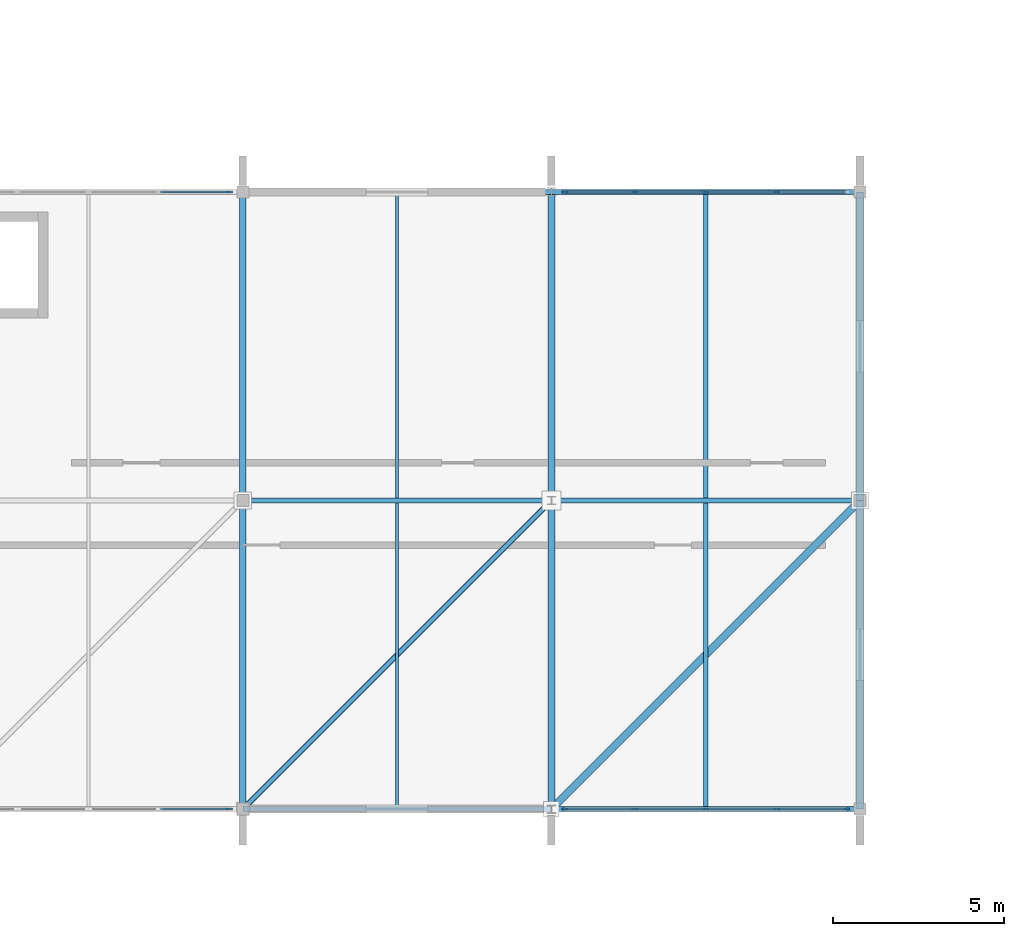
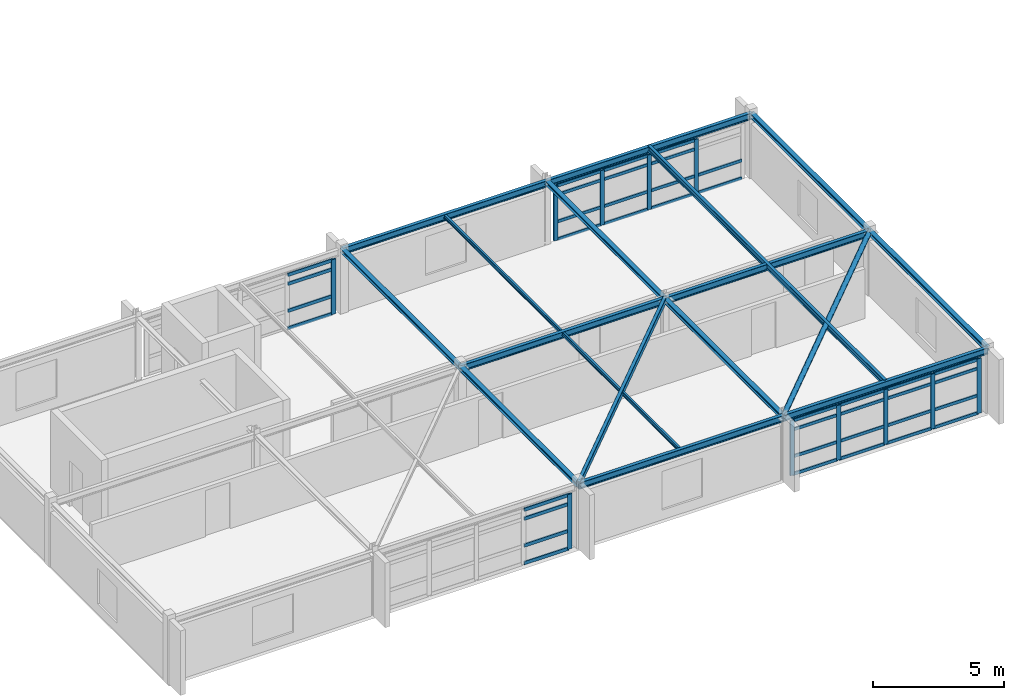
# One storey, part 35 of 83: 51 members, 14 beams, 4 elements without a shape of their own.
"""IFC4 building model written with IfcOpenShell, lengths in metres."""

import ifcopenshell
import ifcopenshell.guid

model = None  # the IFC model being written
_history = None  # IfcOwnerHistory: only IFC2X3 demands one
_inside = {}  # id of a spatial element -> (the spatial element, [elements in it])
_under = {}  # id of a project, library or spatial element -> (it, [spatial elements below it])
_declared = {}  # id of a project -> (the project, [libraries it declares])
_typed = {}  # id of a type object -> (the type object, [elements of that type])
_made_of = {}  # id of a material, layer set ... -> (it, [elements and type objects made of it])


def new_model(schema):
    """Start an empty IFC model of exactly this schema.

    Asked for "IFC4X3", IfcOpenShell would pick the latest addendum, in which some entities
    have other attributes; the version numbers below select the first issue.
    IFC2X3 requires an IfcOwnerHistory on every rooted entity: one is made here for all.
    """
    global model, _history
    if schema == "IFC4X3":
        model = ifcopenshell.file(schema_version=(4, 3, 0, 0))
    else:
        model = ifcopenshell.file(schema=schema)
    _inside.clear()
    _under.clear()
    _declared.clear()
    _typed.clear()
    _made_of.clear()
    _history = None
    if model.schema == "IFC2X3":
        org = make("IfcOrganization", Name="unknown")
        user = make(
            "IfcPersonAndOrganization",
            ThePerson=make("IfcPerson", FamilyName="unknown"),
            TheOrganization=org,
        )
        app = make(
            "IfcApplication",
            ApplicationDeveloper=org,
            Version="unknown",
            ApplicationFullName="unknown",
            ApplicationIdentifier="unknown",
        )
        _history = make(
            "IfcOwnerHistory",
            OwningUser=user,
            OwningApplication=app,
            ChangeAction="ADDED",
            CreationDate=0,
        )
    return model


def make(cls, **values):
    """One entity of the class cls with the attributes given. An attribute that is None is left unset."""
    return model.create_entity(
        cls, **{name: value for name, value in values.items() if value is not None}
    )


def rooted(cls, **values):
    """An entity with a GlobalId (a new one), such as an element, a storey or a relation."""
    return make(cls, GlobalId=ifcopenshell.guid.new(), OwnerHistory=_history, **values)


def si_unit(unit_type, name, prefix=None):
    """IfcSIUnit, for example si_unit("LENGTHUNIT", "METRE", prefix="MILLI")."""
    return make("IfcSIUnit", UnitType=unit_type, Prefix=prefix, Name=name)


def assignment(units):
    """IfcUnitAssignment: the units of a project."""
    return None if units is None else make("IfcUnitAssignment", Units=units)


def point(xyz):
    """IfcCartesianPoint."""
    return None if xyz is None else make("IfcCartesianPoint", Coordinates=xyz)


def direction(xyz):
    """IfcDirection."""
    return None if xyz is None else make("IfcDirection", DirectionRatios=xyz)


def frame(location, z_axis=None, x_axis=None):
    """IfcAxis2Placement3D, a coordinate frame: its origin and axes. An axis left out is left unset."""
    return make(
        "IfcAxis2Placement3D",
        Location=point(location),
        Axis=direction(z_axis),
        RefDirection=direction(x_axis),
    )


def frame_2d(location, x_axis=None):
    """IfcAxis2Placement2D, a coordinate frame in the plane: its origin and x axis."""
    return make(
        "IfcAxis2Placement2D", Location=point(location), RefDirection=direction(x_axis)
    )


def origin():
    """The frame at (0, 0, 0) with its axes left unset."""
    return frame((0.0, 0.0, 0.0))


def origin_2d():
    """The frame at (0, 0) in the plane with its x axis left unset."""
    return frame_2d((0.0, 0.0))


def place(relative_to, where):
    """IfcLocalPlacement: puts the frame where relative to a parent placement (None: the world)."""
    return make(
        "IfcLocalPlacement", PlacementRelTo=relative_to, RelativePlacement=where
    )


def context(
    kind, dimensions, precision=None, world=None, true_north=None, identifier=None
):
    """IfcGeometricRepresentationContext, for example the 3D "Model" context."""
    return make(
        "IfcGeometricRepresentationContext",
        ContextIdentifier=identifier,
        ContextType=kind,
        CoordinateSpaceDimension=dimensions,
        Precision=precision,
        WorldCoordinateSystem=world,
        TrueNorth=true_north,
    )


def subcontext(parent, identifier, kind, view, scale=None):
    """IfcGeometricRepresentationSubContext, for example "Body" below "Model"."""
    return make(
        "IfcGeometricRepresentationSubContext",
        ContextIdentifier=identifier,
        ContextType=kind,
        ParentContext=parent,
        TargetScale=scale,
        TargetView=view,
    )


def project(units=None, contexts=None):
    """IfcProject with its units and contexts."""
    return rooted(
        "IfcProject",
        Name="project",
        RepresentationContexts=contexts,
        UnitsInContext=assignment(units),
    )


def spatial(cls, under=None, at=None, **own):
    """A site, building, storey or space (cls), placed at a placement, below another one or the project."""
    s = rooted(cls, ObjectPlacement=at, **own)
    if under is not None:
        _under.setdefault(under.id(), (under, []))[1].append(s)
    return s


def profile(cls, at=None, kind="AREA", **sizes):
    """A parametric profile (cls). Its sizes go by their IFC names, for example OverallWidth=200.0."""
    return make(cls, ProfileType=kind, Position=at, **sizes)


def rectangle(**sizes):
    """IfcRectangleProfileDef."""
    return profile("IfcRectangleProfileDef", **sizes)


def hollow_rectangle(**sizes):
    """IfcRectangleHollowProfileDef."""
    return profile("IfcRectangleHollowProfileDef", **sizes)


def hollow_circle(**sizes):
    """IfcCircleHollowProfileDef."""
    return profile("IfcCircleHollowProfileDef", **sizes)


def i_section(**sizes):
    """IfcIShapeProfileDef."""
    return profile("IfcIShapeProfileDef", **sizes)


def extrude(swept, where, along, depth):
    """IfcExtrudedAreaSolid: the profile swept, set in the frame where, extruded along a direction by depth."""
    return make(
        "IfcExtrudedAreaSolid",
        SweptArea=swept,
        Position=where,
        ExtrudedDirection=direction(along),
        Depth=depth,
    )


def shape(context_of_items, identifier, shape_type, items):
    """IfcShapeRepresentation: the items that make up one representation, for example the "Body"."""
    return make(
        "IfcShapeRepresentation",
        ContextOfItems=context_of_items,
        RepresentationIdentifier=identifier,
        RepresentationType=shape_type,
        Items=items,
    )


def material(Name=None, Category=None):
    """IfcMaterial."""
    return make("IfcMaterial", Name=Name, Category=Category)


def material_profile(
    of_material, cross_section, Name=None, Category=None, Priority=None
):
    """IfcMaterialProfile: a cross section and its material."""
    return make(
        "IfcMaterialProfile",
        Name=Name,
        Material=of_material,
        Profile=cross_section,
        Priority=Priority,
        Category=Category,
    )


def profile_set(profiles, Name=None, composite=None):
    """IfcMaterialProfileSet."""
    return make(
        "IfcMaterialProfileSet",
        Name=Name,
        MaterialProfiles=profiles,
        CompositeProfile=composite,
    )


def made_of(thing, what):
    """Note that an element or type object is made of a material, layer set ...; save() writes the relation."""
    if what is not None:
        _made_of.setdefault(what.id(), (what, []))[1].append(thing)
    return thing


def type_object(cls, material=None, **own):
    """A type object (cls), such as IfcWallType, which elements share."""
    return made_of(rooted(cls, **own), material)


def element(
    cls,
    number,
    at=None,
    inside=None,
    cuts=None,
    type_object=None,
    material=None,
    context=None,
    identifier="Body",
    shape_type=None,
    held_by="IfcProductDefinitionShape",
    body=None,
    shapes=None,
    **own,
):
    """One element of the class cls, such as IfcWall. Its Tag is "e" and its number.

    at: its placement. inside: the storey or other place that contains it. cuts: it is an
    opening in that element (IfcRelVoidsElement). A single representation is given by context,
    identifier, shape_type and body (its items); several are given by shapes. held_by: the class
    of the entity that holds the representations. save() writes the other relations.
    """
    e = rooted(cls, Tag="e%d" % number, ObjectPlacement=at, **own)
    if body is not None:
        shapes = [shape(context, identifier, shape_type, body)]
    if shapes is not None:
        e.Representation = make(held_by, Representations=shapes)
    if inside is not None:
        _inside.setdefault(inside.id(), (inside, []))[1].append(e)
    if cuts is not None:
        rooted(
            "IfcRelVoidsElement", RelatingBuildingElement=cuts, RelatedOpeningElement=e
        )
    if type_object is not None:
        _typed.setdefault(type_object.id(), (type_object, []))[1].append(e)
    return made_of(e, material)


def aggregate(whole, parts):
    """IfcRelAggregates: a whole, such as a stair, and the parts it consists of."""
    return rooted("IfcRelAggregates", RelatingObject=whole, RelatedObjects=parts)


def save(model, path):
    """Write the relations noted so far, then the file.

    IfcRelAggregates (storeys below a building ...), IfcRelContainedInSpatialStructure (elements
    in a storey), IfcRelDefinesByType, IfcRelAssociatesMaterial and IfcRelDeclares: one each for
    every whole, place, type object, material and project.
    """
    for whole, parts in _under.values():
        aggregate(whole, parts)
    for where, things in _inside.values():
        rooted(
            "IfcRelContainedInSpatialStructure",
            RelatedElements=things,
            RelatingStructure=where,
        )
    for kind, things in _typed.values():
        rooted("IfcRelDefinesByType", RelatedObjects=things, RelatingType=kind)
    for what, things in _made_of.values():
        rooted("IfcRelAssociatesMaterial", RelatedObjects=things, RelatingMaterial=what)
    for by, libraries in _declared.values():
        rooted("IfcRelDeclares", RelatingContext=by, RelatedDefinitions=libraries)
    model.write(path)


model = new_model("IFC4")

# Units and contexts
model_context = context("Model", 3, precision=1e-05, world=origin(), true_north=direction((0.0, 1.0)))
body_context = subcontext(model_context, "Body", "Model", "MODEL_VIEW")
ifc_project = project(units=[si_unit("LENGTHUNIT", "METRE"), si_unit("AREAUNIT", "SQUARE_METRE"), si_unit("VOLUMEUNIT", "CUBIC_METRE"), si_unit("PLANEANGLEUNIT", "RADIAN"), si_unit("MASSUNIT", "GRAM", prefix="KILO")], contexts=[model_context])

# Site, building, storey
site_placement = place(None, origin())
site = spatial("IfcSite", under=ifc_project, at=site_placement, CompositionType="ELEMENT")
building_placement = place(site_placement, origin())
building = spatial("IfcBuilding", under=site, at=building_placement, Name="Zimvara Arc Housing Community", CompositionType="ELEMENT")
storey_placement = place(building_placement, frame((0.0, 0.0, 4.5)))
storey = spatial("IfcBuildingStorey", under=building, at=storey_placement, Name="L01", CompositionType="ELEMENT", Elevation=4.5)

# Beams
ifc_material_1 = material(Name="Steel S355", Category="steel")
ifc_material_profile_1 = material_profile(ifc_material_1, i_section(OverallWidth=0.199951171875, OverallDepth=0.18994140625, WebThickness=0.006591796875, FlangeThickness=0.010009765625, FilletRadius=0.01806640625, at=origin_2d()), Name="HEA 200")
ifc_profile_set_1 = profile_set([ifc_material_profile_1], Name="Steel S355")
beam_type_1 = type_object("IfcBeamType", Name="BM-ST-HEA200", PredefinedType="BEAM", material=ifc_profile_set_1)
for number, where, z_axis, x_axis, name in (
    (1, (130.0, 3.60009765625, 2.85498046875), (0.0, 1.0, 0.0), (-1.0, 0.0, 0.0), "bm:nursery:L01:y:x2:b0"),
    (2, (130.0, 12.60009765625, 2.85498046875), (0.0, 1.0, 0.0), (-1.0, 0.0, 0.0), "bm:nursery:L01:y:x2:b1"),
    (3, (139.0, 3.60009765625, 2.85498046875), (0.0, 1.0, 0.0), (-1.0, 0.0, 0.0), "bm:nursery:L01:y:x3:b0"),
    (4, (139.0, 12.60009765625, 2.85498046875), (0.0, 1.0, 0.0), (-1.0, 0.0, 0.0), "bm:nursery:L01:y:x3:b1"),
    (5, (148.0, 3.60009765625, 2.85498046875), (0.0, 1.0, 0.0), (-1.0, 0.0, 0.0), "bm:nursery:L01:y:x4:b0"),
    (6, (148.0, 12.60009765625, 2.85498046875), (0.0, 1.0, 0.0), (-1.0, 0.0, 0.0), "bm:nursery:L01:y:x4:b1"),
):
    element("IfcBeam", number, at=place(storey_placement, frame(where, z_axis=z_axis, x_axis=x_axis)), inside=storey, type_object=beam_type_1, Name=name, PredefinedType="BEAM", context=body_context, shape_type="SweptSolid", body=[
        extrude(i_section(OverallWidth=0.199951171875, OverallDepth=0.18994140625, WebThickness=0.006591796875, FlangeThickness=0.010009765625, FilletRadius=0.01806640625, at=origin_2d()), origin(), (0.0, 0.0, 1.0), 9.0),
    ])
ifc_material_2 = material(Name="Steel S355", Category="steel")
ifc_material_profile_2 = material_profile(ifc_material_2, i_section(OverallWidth=0.091064453125, OverallDepth=0.179931640625, WebThickness=0.00537109375, FlangeThickness=0.008056640625, FilletRadius=0.009033203125, at=origin_2d()), Name="IPE 180")
ifc_profile_set_2 = profile_set([ifc_material_profile_2], Name="Steel S355")
beam_type_2 = type_object("IfcBeamType", Name="BM-ST-IPE180", PredefinedType="JOIST", material=ifc_profile_set_2)
beam_1_placement = place(storey_placement, frame((134.5, 3.60009765625, 2.85009765625), z_axis=(0.0, 1.0, 0.0), x_axis=(-1.0, 0.0, 0.0)))
element("IfcBeam", 7, at=beam_1_placement, inside=storey, type_object=beam_type_2, Name="bm:nursery:L01:joist:b2", PredefinedType="JOIST", context=body_context, shape_type="SweptSolid", body=[
    extrude(i_section(OverallWidth=0.091064453125, OverallDepth=0.179931640625, WebThickness=0.00537109375, FlangeThickness=0.008056640625, FilletRadius=0.009033203125, at=origin_2d()), origin(), (0.0, 0.0, 1.0), 18.0),
])
ifc_material_3 = material(Name="Steel S355", Category="steel")
ifc_material_profile_3 = material_profile(ifc_material_3, i_section(OverallWidth=0.135009765625, OverallDepth=0.27001953125, WebThickness=0.006591796875, FlangeThickness=0.01025390625, FilletRadius=0.014892578125, at=origin_2d()), Name="IPE 270")
ifc_profile_set_3 = profile_set([ifc_material_profile_3], Name="Steel S355")
beam_type_3 = type_object("IfcBeamType", Name="BM-ST-IPE270", PredefinedType="JOIST", material=ifc_profile_set_3)
beam_2_placement = place(storey_placement, frame((143.5, 3.60009765625, 2.85009765625), z_axis=(0.0, 1.0, 0.0), x_axis=(-1.0, 0.0, 0.0)))
element("IfcBeam", 8, at=beam_2_placement, inside=storey, type_object=beam_type_3, Name="bm:nursery:L01:joist:b3", PredefinedType="JOIST", context=body_context, shape_type="SweptSolid", body=[
    extrude(i_section(OverallWidth=0.135009765625, OverallDepth=0.27001953125, WebThickness=0.006591796875, FlangeThickness=0.01025390625, FilletRadius=0.014892578125, at=origin_2d()), origin(), (0.0, 0.0, 1.0), 18.0),
])
ifc_material_4 = material(Name="Steel S355", Category="steel")
ifc_material_profile_4 = material_profile(ifc_material_4, i_section(OverallWidth=0.14990234375, OverallDepth=0.300048828125, WebThickness=0.007080078125, FlangeThickness=0.0107421875, FilletRadius=0.014892578125, at=origin_2d()), Name="IPE 300")
ifc_profile_set_4 = profile_set([ifc_material_profile_4], Name="Steel S355")
beam_type_4 = type_object("IfcBeamType", Name="BM-ST-IPE300", PredefinedType="BEAM", material=ifc_profile_set_4)
for number, where, z_axis, x_axis, name in (
    (9, (130.0, 3.60009765625, 2.800048828125), (1.0, 0.0, 0.0), (0.0, 1.0, 0.0), "bm:nursery:L01:x:y0:b2"),
    (10, (139.0, 3.60009765625, 2.800048828125), (1.0, 0.0, 0.0), (0.0, 1.0, 0.0), "bm:nursery:L01:x:y0:b3"),
    (11, (130.0, 12.60009765625, 2.800048828125), (1.0, 0.0, 0.0), (0.0, 1.0, 0.0), "bm:nursery:L01:x:y1:b2"),
    (12, (139.0, 12.60009765625, 2.800048828125), (1.0, 0.0, 0.0), (0.0, 1.0, 0.0), "bm:nursery:L01:x:y1:b3"),
    (13, (130.0, 21.60009765625, 2.800048828125), (1.0, 0.0, 0.0), (0.0, 1.0, 0.0), "bm:nursery:L01:x:y2:b2"),
    (14, (139.0, 21.60009765625, 2.800048828125), (1.0, 0.0, 0.0), (0.0, 1.0, 0.0), "bm:nursery:L01:x:y2:b3"),
):
    element("IfcBeam", number, at=place(storey_placement, frame(where, z_axis=z_axis, x_axis=x_axis)), inside=storey, type_object=beam_type_4, Name=name, PredefinedType="BEAM", context=body_context, shape_type="SweptSolid", body=[
        extrude(i_section(OverallWidth=0.14990234375, OverallDepth=0.300048828125, WebThickness=0.007080078125, FlangeThickness=0.0107421875, FilletRadius=0.014892578125, at=origin_2d()), origin(), (0.0, 0.0, 1.0), 9.0),
    ])

# Curtain wall, members
ifc_material_5 = material(Name="Anodised Aluminium AW-6063", Category="aluminium")
curtain_wall_type_1 = type_object("IfcCurtainWallType", Name="CW-SYS-02", PredefinedType="USERDEFINED", material=ifc_material_5)
curtain_wall_1_placement = place(storey_placement, origin())
curtain_wall_1 = element("IfcCurtainWall", 15, at=curtain_wall_1_placement, inside=storey, type_object=curtain_wall_type_1, Name="cw:nursery:L01:south:b3", ObjectType="CURTAIN WALL", PredefinedType="USERDEFINED")
ifc_material_6 = material(Name="Anodised Aluminium AW-6063", Category="aluminium")
ifc_material_profile_5 = material_profile(ifc_material_6, rectangle(XDim=0.06494140625, YDim=0.179931640625, at=origin_2d()), Name="ALU 65x180")
ifc_profile_set_5 = profile_set([ifc_material_profile_5], Name="Anodised Aluminium AW-6063")
member_type_1 = type_object("IfcMemberType", Name="CWM-65x150", PredefinedType="MULLION", material=ifc_profile_set_5)
member_1_placement = place(storey_placement, frame((139.392578125, 3.60009765625, 0.0), z_axis=(0.0, 0.0, 1.0), x_axis=(0.0, 1.0, 0.0)))
member_1 = element("IfcMember", 16, at=member_1_placement, type_object=member_type_1, Name="CW02 mullion 1", PredefinedType="MULLION", context=body_context, shape_type="SweptSolid", body=[
    extrude(rectangle(XDim=0.06494140625, YDim=0.179931640625, at=origin_2d()), origin(), (0.0, 0.0, 1.0), 2.550048828125),
])
member_2_placement = place(storey_placement, frame((141.429931640625, 3.60009765625, 0.0), z_axis=(0.0, 0.0, 1.0), x_axis=(0.0, 1.0, 0.0)))
member_2 = element("IfcMember", 17, at=member_2_placement, type_object=member_type_1, Name="CW02 mullion 2", PredefinedType="MULLION", context=body_context, shape_type="SweptSolid", body=[
    extrude(rectangle(XDim=0.06494140625, YDim=0.179931640625, at=origin_2d()), origin(), (0.0, 0.0, 1.0), 2.550048828125),
])
member_3_placement = place(storey_placement, frame((143.5, 3.60009765625, 0.0), z_axis=(0.0, 0.0, 1.0), x_axis=(0.0, 1.0, 0.0)))
member_3 = element("IfcMember", 18, at=member_3_placement, type_object=member_type_1, Name="CW02 mullion 3", PredefinedType="MULLION", context=body_context, shape_type="SweptSolid", body=[
    extrude(rectangle(XDim=0.06494140625, YDim=0.179931640625, at=origin_2d()), origin(), (0.0, 0.0, 1.0), 2.550048828125),
])
member_4_placement = place(storey_placement, frame((145.570068359375, 3.60009765625, 0.0), z_axis=(0.0, 0.0, 1.0), x_axis=(0.0, 1.0, 0.0)))
member_4 = element("IfcMember", 19, at=member_4_placement, type_object=member_type_1, Name="CW02 mullion 4", PredefinedType="MULLION", context=body_context, shape_type="SweptSolid", body=[
    extrude(rectangle(XDim=0.06494140625, YDim=0.179931640625, at=origin_2d()), origin(), (0.0, 0.0, 1.0), 2.550048828125),
])
member_5_placement = place(storey_placement, frame((147.607421875, 3.60009765625, 0.0), z_axis=(0.0, 0.0, 1.0), x_axis=(0.0, 1.0, 0.0)))
member_5 = element("IfcMember", 20, at=member_5_placement, type_object=member_type_1, Name="CW02 mullion 5", PredefinedType="MULLION", context=body_context, shape_type="SweptSolid", body=[
    extrude(rectangle(XDim=0.06494140625, YDim=0.179931640625, at=origin_2d()), origin(), (0.0, 0.0, 1.0), 2.550048828125),
])

ifc_material_7 = material(Name="Anodised Aluminium AW-6063", Category="aluminium")
curtain_wall_type_2 = type_object("IfcCurtainWallType", Name="CW-SYS-04", PredefinedType="USERDEFINED", material=ifc_material_7)
curtain_wall_2_placement = place(storey_placement, origin())
curtain_wall_2 = element("IfcCurtainWall", 21, at=curtain_wall_2_placement, inside=storey, type_object=curtain_wall_type_2, Name="cw:nursery:L01:north:b3", ObjectType="CURTAIN WALL", PredefinedType="USERDEFINED")
member_6_placement = place(storey_placement, frame((139.392578125, 21.60009765625, 0.0), z_axis=(0.0, 0.0, 1.0), x_axis=(0.0, 1.0, 0.0)))
member_6 = element("IfcMember", 22, at=member_6_placement, type_object=member_type_1, Name="CW04 mullion 1", PredefinedType="MULLION", context=body_context, shape_type="SweptSolid", body=[
    extrude(rectangle(XDim=0.06494140625, YDim=0.179931640625, at=origin_2d()), origin(), (0.0, 0.0, 1.0), 2.550048828125),
])
member_7_placement = place(storey_placement, frame((141.429931640625, 21.60009765625, 0.0), z_axis=(0.0, 0.0, 1.0), x_axis=(0.0, 1.0, 0.0)))
member_7 = element("IfcMember", 23, at=member_7_placement, type_object=member_type_1, Name="CW04 mullion 2", PredefinedType="MULLION", context=body_context, shape_type="SweptSolid", body=[
    extrude(rectangle(XDim=0.06494140625, YDim=0.179931640625, at=origin_2d()), origin(), (0.0, 0.0, 1.0), 2.550048828125),
])
member_8_placement = place(storey_placement, frame((143.5, 21.60009765625, 0.0), z_axis=(0.0, 0.0, 1.0), x_axis=(0.0, 1.0, 0.0)))
member_8 = element("IfcMember", 24, at=member_8_placement, type_object=member_type_1, Name="CW04 mullion 3", PredefinedType="MULLION", context=body_context, shape_type="SweptSolid", body=[
    extrude(rectangle(XDim=0.06494140625, YDim=0.179931640625, at=origin_2d()), origin(), (0.0, 0.0, 1.0), 2.550048828125),
])
member_9_placement = place(storey_placement, frame((145.570068359375, 21.60009765625, 0.0), z_axis=(0.0, 0.0, 1.0), x_axis=(0.0, 1.0, 0.0)))
member_9 = element("IfcMember", 25, at=member_9_placement, type_object=member_type_1, Name="CW04 mullion 4", PredefinedType="MULLION", context=body_context, shape_type="SweptSolid", body=[
    extrude(rectangle(XDim=0.06494140625, YDim=0.179931640625, at=origin_2d()), origin(), (0.0, 0.0, 1.0), 2.550048828125),
])

# Curtain wall, member
ifc_material_8 = material(Name="Anodised Aluminium AW-6063", Category="aluminium")
curtain_wall_type_3 = type_object("IfcCurtainWallType", Name="CW-SYS-01", PredefinedType="USERDEFINED", material=ifc_material_8)
curtain_wall_3_placement = place(storey_placement, origin())
curtain_wall_3 = element("IfcCurtainWall", 26, at=curtain_wall_3_placement, inside=storey, type_object=curtain_wall_type_3, Name="cw:nursery:L01:south:b1", ObjectType="CURTAIN WALL", PredefinedType="USERDEFINED")
ifc_material_9 = material(Name="Anodised Aluminium AW-6063", Category="aluminium")
ifc_material_profile_6 = material_profile(ifc_material_9, rectangle(XDim=0.06494140625, YDim=0.195068359375, at=origin_2d()), Name="ALU 65x195")
ifc_profile_set_6 = profile_set([ifc_material_profile_6], Name="Anodised Aluminium AW-6063")
member_type_2 = type_object("IfcMemberType", Name="CWM-65x180", PredefinedType="MULLION", material=ifc_profile_set_6)
member_10_placement = place(storey_placement, frame((129.607421875, 3.60009765625, 0.0), z_axis=(0.0, 0.0, 1.0), x_axis=(0.0, 1.0, 0.0)))
member_10 = element("IfcMember", 27, at=member_10_placement, type_object=member_type_2, Name="CW01 mullion 5", PredefinedType="MULLION", context=body_context, shape_type="SweptSolid", body=[
    extrude(rectangle(XDim=0.06494140625, YDim=0.195068359375, at=origin_2d()), origin(), (0.0, 0.0, 1.0), 2.550048828125),
])

ifc_material_10 = material(Name="Anodised Aluminium AW-6063", Category="aluminium")
curtain_wall_type_4 = type_object("IfcCurtainWallType", Name="CW-SYS-03", PredefinedType="USERDEFINED", material=ifc_material_10)
curtain_wall_4_placement = place(storey_placement, origin())
curtain_wall_4 = element("IfcCurtainWall", 28, at=curtain_wall_4_placement, inside=storey, type_object=curtain_wall_type_4, Name="cw:nursery:L01:north:b1", ObjectType="CURTAIN WALL", PredefinedType="USERDEFINED")
member_11_placement = place(storey_placement, frame((129.607421875, 21.60009765625, 0.0), z_axis=(0.0, 0.0, 1.0), x_axis=(0.0, 1.0, 0.0)))
member_11 = element("IfcMember", 29, at=member_11_placement, type_object=member_type_2, Name="CW03 mullion 5", PredefinedType="MULLION", context=body_context, shape_type="SweptSolid", body=[
    extrude(rectangle(XDim=0.06494140625, YDim=0.195068359375, at=origin_2d()), origin(), (0.0, 0.0, 1.0), 2.550048828125),
])

# Member
ifc_material_11 = material(Name="Anodised Aluminium AW-6063", Category="aluminium")
ifc_material_profile_7 = material_profile(ifc_material_11, rectangle(XDim=0.06494140625, YDim=0.139892578125, at=origin_2d()), Name="ALU 65x140")
ifc_profile_set_7 = profile_set([ifc_material_profile_7], Name="Anodised Aluminium AW-6063")
member_type_3 = type_object("IfcMemberType", Name="CWT-65x120", PredefinedType="USERDEFINED", material=ifc_profile_set_7)
member_12_placement = place(storey_placement, frame((139.425048828125, 3.60009765625, 0.032470703125), z_axis=(1.0, 0.0, 0.0), x_axis=(0.0, 1.0, 0.0)))
member_12 = element("IfcMember", 30, at=member_12_placement, type_object=member_type_3, Name="CW02 transom 1.1", ObjectType="TRANSOM", PredefinedType="USERDEFINED", context=body_context, shape_type="SweptSolid", body=[
    extrude(rectangle(XDim=0.06494140625, YDim=0.139892578125, at=origin_2d()), origin(), (0.0, 0.0, 1.0), 1.972412109375),
])

member_13_placement = place(storey_placement, frame((139.425048828125, 3.60009765625, 0.85009765625), z_axis=(1.0, 0.0, 0.0), x_axis=(0.0, 1.0, 0.0)))
member_13 = element("IfcMember", 31, at=member_13_placement, type_object=member_type_3, Name="CW02 transom 1.2", ObjectType="TRANSOM", PredefinedType="USERDEFINED", context=body_context, shape_type="SweptSolid", body=[
    extrude(rectangle(XDim=0.06494140625, YDim=0.139892578125, at=origin_2d()), origin(), (0.0, 0.0, 1.0), 1.972412109375),
])

member_14_placement = place(storey_placement, frame((139.425048828125, 3.60009765625, 2.10009765625), z_axis=(1.0, 0.0, 0.0), x_axis=(0.0, 1.0, 0.0)))
member_14 = element("IfcMember", 32, at=member_14_placement, type_object=member_type_3, Name="CW02 transom 1.3", ObjectType="TRANSOM", PredefinedType="USERDEFINED", context=body_context, shape_type="SweptSolid", body=[
    extrude(rectangle(XDim=0.06494140625, YDim=0.139892578125, at=origin_2d()), origin(), (0.0, 0.0, 1.0), 1.972412109375),
])

member_15_placement = place(storey_placement, frame((139.425048828125, 3.60009765625, 2.517578125), z_axis=(1.0, 0.0, 0.0), x_axis=(0.0, 1.0, 0.0)))
member_15 = element("IfcMember", 33, at=member_15_placement, type_object=member_type_3, Name="CW02 transom 1.4", ObjectType="TRANSOM", PredefinedType="USERDEFINED", context=body_context, shape_type="SweptSolid", body=[
    extrude(rectangle(XDim=0.06494140625, YDim=0.139892578125, at=origin_2d()), origin(), (0.0, 0.0, 1.0), 1.972412109375),
])

member_16_placement = place(storey_placement, frame((141.46240234375, 3.60009765625, 0.032470703125), z_axis=(1.0, 0.0, 0.0), x_axis=(0.0, 1.0, 0.0)))
member_16 = element("IfcMember", 34, at=member_16_placement, type_object=member_type_3, Name="CW02 transom 2.1", ObjectType="TRANSOM", PredefinedType="USERDEFINED", context=body_context, shape_type="SweptSolid", body=[
    extrude(rectangle(XDim=0.06494140625, YDim=0.139892578125, at=origin_2d()), origin(), (0.0, 0.0, 1.0), 2.005126953125),
])

member_17_placement = place(storey_placement, frame((141.46240234375, 3.60009765625, 0.85009765625), z_axis=(1.0, 0.0, 0.0), x_axis=(0.0, 1.0, 0.0)))
member_17 = element("IfcMember", 35, at=member_17_placement, type_object=member_type_3, Name="CW02 transom 2.2", ObjectType="TRANSOM", PredefinedType="USERDEFINED", context=body_context, shape_type="SweptSolid", body=[
    extrude(rectangle(XDim=0.06494140625, YDim=0.139892578125, at=origin_2d()), origin(), (0.0, 0.0, 1.0), 2.005126953125),
])

member_18_placement = place(storey_placement, frame((141.46240234375, 3.60009765625, 2.10009765625), z_axis=(1.0, 0.0, 0.0), x_axis=(0.0, 1.0, 0.0)))
member_18 = element("IfcMember", 36, at=member_18_placement, type_object=member_type_3, Name="CW02 transom 2.3", ObjectType="TRANSOM", PredefinedType="USERDEFINED", context=body_context, shape_type="SweptSolid", body=[
    extrude(rectangle(XDim=0.06494140625, YDim=0.139892578125, at=origin_2d()), origin(), (0.0, 0.0, 1.0), 2.005126953125),
])

member_19_placement = place(storey_placement, frame((141.46240234375, 3.60009765625, 2.517578125), z_axis=(1.0, 0.0, 0.0), x_axis=(0.0, 1.0, 0.0)))
member_19 = element("IfcMember", 37, at=member_19_placement, type_object=member_type_3, Name="CW02 transom 2.4", ObjectType="TRANSOM", PredefinedType="USERDEFINED", context=body_context, shape_type="SweptSolid", body=[
    extrude(rectangle(XDim=0.06494140625, YDim=0.139892578125, at=origin_2d()), origin(), (0.0, 0.0, 1.0), 2.005126953125),
])

member_20_placement = place(storey_placement, frame((143.532470703125, 3.60009765625, 0.032470703125), z_axis=(1.0, 0.0, 0.0), x_axis=(0.0, 1.0, 0.0)))
member_20 = element("IfcMember", 38, at=member_20_placement, type_object=member_type_3, Name="CW02 transom 3.1", ObjectType="TRANSOM", PredefinedType="USERDEFINED", context=body_context, shape_type="SweptSolid", body=[
    extrude(rectangle(XDim=0.06494140625, YDim=0.139892578125, at=origin_2d()), origin(), (0.0, 0.0, 1.0), 2.005126953125),
])

member_21_placement = place(storey_placement, frame((143.532470703125, 3.60009765625, 0.85009765625), z_axis=(1.0, 0.0, 0.0), x_axis=(0.0, 1.0, 0.0)))
member_21 = element("IfcMember", 39, at=member_21_placement, type_object=member_type_3, Name="CW02 transom 3.2", ObjectType="TRANSOM", PredefinedType="USERDEFINED", context=body_context, shape_type="SweptSolid", body=[
    extrude(rectangle(XDim=0.06494140625, YDim=0.139892578125, at=origin_2d()), origin(), (0.0, 0.0, 1.0), 2.005126953125),
])

member_22_placement = place(storey_placement, frame((143.532470703125, 3.60009765625, 2.10009765625), z_axis=(1.0, 0.0, 0.0), x_axis=(0.0, 1.0, 0.0)))
member_22 = element("IfcMember", 40, at=member_22_placement, type_object=member_type_3, Name="CW02 transom 3.3", ObjectType="TRANSOM", PredefinedType="USERDEFINED", context=body_context, shape_type="SweptSolid", body=[
    extrude(rectangle(XDim=0.06494140625, YDim=0.139892578125, at=origin_2d()), origin(), (0.0, 0.0, 1.0), 2.005126953125),
])

member_23_placement = place(storey_placement, frame((143.532470703125, 3.60009765625, 2.517578125), z_axis=(1.0, 0.0, 0.0), x_axis=(0.0, 1.0, 0.0)))
member_23 = element("IfcMember", 41, at=member_23_placement, type_object=member_type_3, Name="CW02 transom 3.4", ObjectType="TRANSOM", PredefinedType="USERDEFINED", context=body_context, shape_type="SweptSolid", body=[
    extrude(rectangle(XDim=0.06494140625, YDim=0.139892578125, at=origin_2d()), origin(), (0.0, 0.0, 1.0), 2.005126953125),
])

member_24_placement = place(storey_placement, frame((145.6025390625, 3.60009765625, 0.032470703125), z_axis=(1.0, 0.0, 0.0), x_axis=(0.0, 1.0, 0.0)))
member_24 = element("IfcMember", 42, at=member_24_placement, type_object=member_type_3, Name="CW02 transom 4.1", ObjectType="TRANSOM", PredefinedType="USERDEFINED", context=body_context, shape_type="SweptSolid", body=[
    extrude(rectangle(XDim=0.06494140625, YDim=0.139892578125, at=origin_2d()), origin(), (0.0, 0.0, 1.0), 1.972412109375),
])

member_25_placement = place(storey_placement, frame((145.6025390625, 3.60009765625, 0.85009765625), z_axis=(1.0, 0.0, 0.0), x_axis=(0.0, 1.0, 0.0)))
member_25 = element("IfcMember", 43, at=member_25_placement, type_object=member_type_3, Name="CW02 transom 4.2", ObjectType="TRANSOM", PredefinedType="USERDEFINED", context=body_context, shape_type="SweptSolid", body=[
    extrude(rectangle(XDim=0.06494140625, YDim=0.139892578125, at=origin_2d()), origin(), (0.0, 0.0, 1.0), 1.972412109375),
])

member_26_placement = place(storey_placement, frame((145.6025390625, 3.60009765625, 2.10009765625), z_axis=(1.0, 0.0, 0.0), x_axis=(0.0, 1.0, 0.0)))
member_26 = element("IfcMember", 44, at=member_26_placement, type_object=member_type_3, Name="CW02 transom 4.3", ObjectType="TRANSOM", PredefinedType="USERDEFINED", context=body_context, shape_type="SweptSolid", body=[
    extrude(rectangle(XDim=0.06494140625, YDim=0.139892578125, at=origin_2d()), origin(), (0.0, 0.0, 1.0), 1.972412109375),
])

member_27_placement = place(storey_placement, frame((145.6025390625, 3.60009765625, 2.517578125), z_axis=(1.0, 0.0, 0.0), x_axis=(0.0, 1.0, 0.0)))
member_27 = element("IfcMember", 45, at=member_27_placement, type_object=member_type_3, Name="CW02 transom 4.4", ObjectType="TRANSOM", PredefinedType="USERDEFINED", context=body_context, shape_type="SweptSolid", body=[
    extrude(rectangle(XDim=0.06494140625, YDim=0.139892578125, at=origin_2d()), origin(), (0.0, 0.0, 1.0), 1.972412109375),
])

aggregate(curtain_wall_1, [member_1, member_2, member_3, member_4, member_5, member_12, member_13, member_14, member_15, member_16, member_17, member_18, member_19, member_20, member_21, member_22, member_23, member_24, member_25, member_26, member_27])

member_28_placement = place(storey_placement, frame((139.425048828125, 21.60009765625, 0.032470703125), z_axis=(1.0, 0.0, 0.0), x_axis=(0.0, 1.0, 0.0)))
member_28 = element("IfcMember", 46, at=member_28_placement, type_object=member_type_3, Name="CW04 transom 1.1", ObjectType="TRANSOM", PredefinedType="USERDEFINED", context=body_context, shape_type="SweptSolid", body=[
    extrude(rectangle(XDim=0.06494140625, YDim=0.139892578125, at=origin_2d()), origin(), (0.0, 0.0, 1.0), 1.972412109375),
])

member_29_placement = place(storey_placement, frame((139.425048828125, 21.60009765625, 0.85009765625), z_axis=(1.0, 0.0, 0.0), x_axis=(0.0, 1.0, 0.0)))
member_29 = element("IfcMember", 47, at=member_29_placement, type_object=member_type_3, Name="CW04 transom 1.2", ObjectType="TRANSOM", PredefinedType="USERDEFINED", context=body_context, shape_type="SweptSolid", body=[
    extrude(rectangle(XDim=0.06494140625, YDim=0.139892578125, at=origin_2d()), origin(), (0.0, 0.0, 1.0), 1.972412109375),
])

member_30_placement = place(storey_placement, frame((139.425048828125, 21.60009765625, 2.10009765625), z_axis=(1.0, 0.0, 0.0), x_axis=(0.0, 1.0, 0.0)))
member_30 = element("IfcMember", 48, at=member_30_placement, type_object=member_type_3, Name="CW04 transom 1.3", ObjectType="TRANSOM", PredefinedType="USERDEFINED", context=body_context, shape_type="SweptSolid", body=[
    extrude(rectangle(XDim=0.06494140625, YDim=0.139892578125, at=origin_2d()), origin(), (0.0, 0.0, 1.0), 1.972412109375),
])

member_31_placement = place(storey_placement, frame((139.425048828125, 21.60009765625, 2.517578125), z_axis=(1.0, 0.0, 0.0), x_axis=(0.0, 1.0, 0.0)))
member_31 = element("IfcMember", 49, at=member_31_placement, type_object=member_type_3, Name="CW04 transom 1.4", ObjectType="TRANSOM", PredefinedType="USERDEFINED", context=body_context, shape_type="SweptSolid", body=[
    extrude(rectangle(XDim=0.06494140625, YDim=0.139892578125, at=origin_2d()), origin(), (0.0, 0.0, 1.0), 1.972412109375),
])

member_32_placement = place(storey_placement, frame((141.46240234375, 21.60009765625, 0.032470703125), z_axis=(1.0, 0.0, 0.0), x_axis=(0.0, 1.0, 0.0)))
member_32 = element("IfcMember", 50, at=member_32_placement, type_object=member_type_3, Name="CW04 transom 2.1", ObjectType="TRANSOM", PredefinedType="USERDEFINED", context=body_context, shape_type="SweptSolid", body=[
    extrude(rectangle(XDim=0.06494140625, YDim=0.139892578125, at=origin_2d()), origin(), (0.0, 0.0, 1.0), 2.005126953125),
])

member_33_placement = place(storey_placement, frame((141.46240234375, 21.60009765625, 0.85009765625), z_axis=(1.0, 0.0, 0.0), x_axis=(0.0, 1.0, 0.0)))
member_33 = element("IfcMember", 51, at=member_33_placement, type_object=member_type_3, Name="CW04 transom 2.2", ObjectType="TRANSOM", PredefinedType="USERDEFINED", context=body_context, shape_type="SweptSolid", body=[
    extrude(rectangle(XDim=0.06494140625, YDim=0.139892578125, at=origin_2d()), origin(), (0.0, 0.0, 1.0), 2.005126953125),
])

member_34_placement = place(storey_placement, frame((141.46240234375, 21.60009765625, 2.10009765625), z_axis=(1.0, 0.0, 0.0), x_axis=(0.0, 1.0, 0.0)))
member_34 = element("IfcMember", 52, at=member_34_placement, type_object=member_type_3, Name="CW04 transom 2.3", ObjectType="TRANSOM", PredefinedType="USERDEFINED", context=body_context, shape_type="SweptSolid", body=[
    extrude(rectangle(XDim=0.06494140625, YDim=0.139892578125, at=origin_2d()), origin(), (0.0, 0.0, 1.0), 2.005126953125),
])

member_35_placement = place(storey_placement, frame((141.46240234375, 21.60009765625, 2.517578125), z_axis=(1.0, 0.0, 0.0), x_axis=(0.0, 1.0, 0.0)))
member_35 = element("IfcMember", 53, at=member_35_placement, type_object=member_type_3, Name="CW04 transom 2.4", ObjectType="TRANSOM", PredefinedType="USERDEFINED", context=body_context, shape_type="SweptSolid", body=[
    extrude(rectangle(XDim=0.06494140625, YDim=0.139892578125, at=origin_2d()), origin(), (0.0, 0.0, 1.0), 2.005126953125),
])

member_36_placement = place(storey_placement, frame((143.532470703125, 21.60009765625, 0.032470703125), z_axis=(1.0, 0.0, 0.0), x_axis=(0.0, 1.0, 0.0)))
member_36 = element("IfcMember", 54, at=member_36_placement, type_object=member_type_3, Name="CW04 transom 3.1", ObjectType="TRANSOM", PredefinedType="USERDEFINED", context=body_context, shape_type="SweptSolid", body=[
    extrude(rectangle(XDim=0.06494140625, YDim=0.139892578125, at=origin_2d()), origin(), (0.0, 0.0, 1.0), 2.005126953125),
])

member_37_placement = place(storey_placement, frame((143.532470703125, 21.60009765625, 0.85009765625), z_axis=(1.0, 0.0, 0.0), x_axis=(0.0, 1.0, 0.0)))
member_37 = element("IfcMember", 55, at=member_37_placement, type_object=member_type_3, Name="CW04 transom 3.2", ObjectType="TRANSOM", PredefinedType="USERDEFINED", context=body_context, shape_type="SweptSolid", body=[
    extrude(rectangle(XDim=0.06494140625, YDim=0.139892578125, at=origin_2d()), origin(), (0.0, 0.0, 1.0), 2.005126953125),
])

member_38_placement = place(storey_placement, frame((143.532470703125, 21.60009765625, 2.10009765625), z_axis=(1.0, 0.0, 0.0), x_axis=(0.0, 1.0, 0.0)))
member_38 = element("IfcMember", 56, at=member_38_placement, type_object=member_type_3, Name="CW04 transom 3.3", ObjectType="TRANSOM", PredefinedType="USERDEFINED", context=body_context, shape_type="SweptSolid", body=[
    extrude(rectangle(XDim=0.06494140625, YDim=0.139892578125, at=origin_2d()), origin(), (0.0, 0.0, 1.0), 2.005126953125),
])

member_39_placement = place(storey_placement, frame((143.532470703125, 21.60009765625, 2.517578125), z_axis=(1.0, 0.0, 0.0), x_axis=(0.0, 1.0, 0.0)))
member_39 = element("IfcMember", 57, at=member_39_placement, type_object=member_type_3, Name="CW04 transom 3.4", ObjectType="TRANSOM", PredefinedType="USERDEFINED", context=body_context, shape_type="SweptSolid", body=[
    extrude(rectangle(XDim=0.06494140625, YDim=0.139892578125, at=origin_2d()), origin(), (0.0, 0.0, 1.0), 2.005126953125),
])

member_40_placement = place(storey_placement, frame((145.6025390625, 21.60009765625, 0.032470703125), z_axis=(1.0, 0.0, 0.0), x_axis=(0.0, 1.0, 0.0)))
member_40 = element("IfcMember", 58, at=member_40_placement, type_object=member_type_3, Name="CW04 transom 4.1", ObjectType="TRANSOM", PredefinedType="USERDEFINED", context=body_context, shape_type="SweptSolid", body=[
    extrude(rectangle(XDim=0.06494140625, YDim=0.139892578125, at=origin_2d()), origin(), (0.0, 0.0, 1.0), 1.972412109375),
])

member_41_placement = place(storey_placement, frame((145.6025390625, 21.60009765625, 0.85009765625), z_axis=(1.0, 0.0, 0.0), x_axis=(0.0, 1.0, 0.0)))
member_41 = element("IfcMember", 59, at=member_41_placement, type_object=member_type_3, Name="CW04 transom 4.2", ObjectType="TRANSOM", PredefinedType="USERDEFINED", context=body_context, shape_type="SweptSolid", body=[
    extrude(rectangle(XDim=0.06494140625, YDim=0.139892578125, at=origin_2d()), origin(), (0.0, 0.0, 1.0), 1.972412109375),
])

aggregate(curtain_wall_2, [member_6, member_7, member_8, member_9, member_28, member_29, member_30, member_31, member_32, member_33, member_34, member_35, member_36, member_37, member_38, member_39, member_40, member_41])

ifc_material_12 = material(Name="Anodised Aluminium AW-6063", Category="aluminium")
ifc_material_profile_8 = material_profile(ifc_material_12, rectangle(XDim=0.06494140625, YDim=0.155029296875, at=origin_2d()), Name="ALU 65x155")
ifc_profile_set_8 = profile_set([ifc_material_profile_8], Name="Anodised Aluminium AW-6063")
member_type_4 = type_object("IfcMemberType", Name="CWT-65x140", PredefinedType="USERDEFINED", material=ifc_profile_set_8)
member_42_placement = place(storey_placement, frame((127.6025390625, 3.60009765625, 0.032470703125), z_axis=(1.0, 0.0, 0.0), x_axis=(0.0, 1.0, 0.0)))
member_42 = element("IfcMember", 60, at=member_42_placement, type_object=member_type_4, Name="CW01 transom 4.1", ObjectType="TRANSOM", PredefinedType="USERDEFINED", context=body_context, shape_type="SweptSolid", body=[
    extrude(rectangle(XDim=0.06494140625, YDim=0.155029296875, at=origin_2d()), origin(), (0.0, 0.0, 1.0), 1.972412109375),
])

member_43_placement = place(storey_placement, frame((127.6025390625, 3.60009765625, 0.85009765625), z_axis=(1.0, 0.0, 0.0), x_axis=(0.0, 1.0, 0.0)))
member_43 = element("IfcMember", 61, at=member_43_placement, type_object=member_type_4, Name="CW01 transom 4.2", ObjectType="TRANSOM", PredefinedType="USERDEFINED", context=body_context, shape_type="SweptSolid", body=[
    extrude(rectangle(XDim=0.06494140625, YDim=0.155029296875, at=origin_2d()), origin(), (0.0, 0.0, 1.0), 1.972412109375),
])

member_44_placement = place(storey_placement, frame((127.6025390625, 3.60009765625, 2.10009765625), z_axis=(1.0, 0.0, 0.0), x_axis=(0.0, 1.0, 0.0)))
member_44 = element("IfcMember", 62, at=member_44_placement, type_object=member_type_4, Name="CW01 transom 4.3", ObjectType="TRANSOM", PredefinedType="USERDEFINED", context=body_context, shape_type="SweptSolid", body=[
    extrude(rectangle(XDim=0.06494140625, YDim=0.155029296875, at=origin_2d()), origin(), (0.0, 0.0, 1.0), 1.972412109375),
])

member_45_placement = place(storey_placement, frame((127.6025390625, 3.60009765625, 2.517578125), z_axis=(1.0, 0.0, 0.0), x_axis=(0.0, 1.0, 0.0)))
member_45 = element("IfcMember", 63, at=member_45_placement, type_object=member_type_4, Name="CW01 transom 4.4", ObjectType="TRANSOM", PredefinedType="USERDEFINED", context=body_context, shape_type="SweptSolid", body=[
    extrude(rectangle(XDim=0.06494140625, YDim=0.155029296875, at=origin_2d()), origin(), (0.0, 0.0, 1.0), 1.972412109375),
])

aggregate(curtain_wall_3, [member_10, member_42, member_43, member_44, member_45])

member_46_placement = place(storey_placement, frame((127.6025390625, 21.60009765625, 0.032470703125), z_axis=(1.0, 0.0, 0.0), x_axis=(0.0, 1.0, 0.0)))
member_46 = element("IfcMember", 64, at=member_46_placement, type_object=member_type_4, Name="CW03 transom 4.1", ObjectType="TRANSOM", PredefinedType="USERDEFINED", context=body_context, shape_type="SweptSolid", body=[
    extrude(rectangle(XDim=0.06494140625, YDim=0.155029296875, at=origin_2d()), origin(), (0.0, 0.0, 1.0), 1.972412109375),
])

member_47_placement = place(storey_placement, frame((127.6025390625, 21.60009765625, 0.85009765625), z_axis=(1.0, 0.0, 0.0), x_axis=(0.0, 1.0, 0.0)))
member_47 = element("IfcMember", 65, at=member_47_placement, type_object=member_type_4, Name="CW03 transom 4.2", ObjectType="TRANSOM", PredefinedType="USERDEFINED", context=body_context, shape_type="SweptSolid", body=[
    extrude(rectangle(XDim=0.06494140625, YDim=0.155029296875, at=origin_2d()), origin(), (0.0, 0.0, 1.0), 1.972412109375),
])

member_48_placement = place(storey_placement, frame((127.6025390625, 21.60009765625, 2.10009765625), z_axis=(1.0, 0.0, 0.0), x_axis=(0.0, 1.0, 0.0)))
member_48 = element("IfcMember", 66, at=member_48_placement, type_object=member_type_4, Name="CW03 transom 4.3", ObjectType="TRANSOM", PredefinedType="USERDEFINED", context=body_context, shape_type="SweptSolid", body=[
    extrude(rectangle(XDim=0.06494140625, YDim=0.155029296875, at=origin_2d()), origin(), (0.0, 0.0, 1.0), 1.972412109375),
])

member_49_placement = place(storey_placement, frame((127.6025390625, 21.60009765625, 2.517578125), z_axis=(1.0, 0.0, 0.0), x_axis=(0.0, 1.0, 0.0)))
member_49 = element("IfcMember", 67, at=member_49_placement, type_object=member_type_4, Name="CW03 transom 4.4", ObjectType="TRANSOM", PredefinedType="USERDEFINED", context=body_context, shape_type="SweptSolid", body=[
    extrude(rectangle(XDim=0.06494140625, YDim=0.155029296875, at=origin_2d()), origin(), (0.0, 0.0, 1.0), 1.972412109375),
])

aggregate(curtain_wall_4, [member_11, member_46, member_47, member_48, member_49])

# Members
ifc_material_13 = material(Name="Steel S355", Category="steel")
ifc_material_profile_9 = material_profile(ifc_material_13, hollow_rectangle(XDim=0.14990234375, YDim=0.25, WallThickness=0.008056640625, InnerFilletRadius=0.008056640625, OuterFilletRadius=0.01611328125, at=origin_2d()), Name="RHS 250x150x8.0")
ifc_profile_set_9 = profile_set([ifc_material_profile_9], Name="Steel S355")
member_type_5 = type_object("IfcMemberType", Name="MB-CHORD-RHS250", PredefinedType="CHORD", material=ifc_profile_set_9)
member_50_placement = place(storey_placement, frame((130.0, 3.60009765625, 2.85009765625), z_axis=(0.707106781187, 0.707106781187, 0.0), x_axis=(-0.707106781187, 0.707106781187, 0.0)))
element("IfcMember", 68, at=member_50_placement, inside=storey, type_object=member_type_5, Name="mb:nursery:L01:brace:b2", PredefinedType="CHORD", context=body_context, shape_type="SweptSolid", body=[
    extrude(hollow_rectangle(XDim=0.14990234375, YDim=0.25, WallThickness=0.008056640625, InnerFilletRadius=0.008056640625, OuterFilletRadius=0.01611328125, at=origin_2d()), origin(), (0.0, 0.0, 1.0), 12.72802734375),
])
ifc_material_14 = material(Name="Steel S355", Category="steel")
ifc_material_profile_10 = material_profile(ifc_material_14, hollow_circle(Radius=0.109619140625, WallThickness=0.008056640625, at=origin_2d()), Name="CHS 219.1x8.0")
ifc_profile_set_10 = profile_set([ifc_material_profile_10], Name="Steel S355")
member_type_6 = type_object("IfcMemberType", Name="MB-STRUT-CHS219", PredefinedType="STRUT", material=ifc_profile_set_10)
member_51_placement = place(storey_placement, frame((139.0, 3.60009765625, 2.85009765625), z_axis=(0.707106781187, 0.707106781187, 0.0), x_axis=(-0.707106781187, 0.707106781187, 0.0)))
element("IfcMember", 69, at=member_51_placement, inside=storey, type_object=member_type_6, Name="mb:nursery:L01:brace:b3", PredefinedType="STRUT", context=body_context, shape_type="SweptSolid", body=[
    extrude(hollow_circle(Radius=0.109619140625, WallThickness=0.008056640625, at=origin_2d()), origin(), (0.0, 0.0, 1.0), 12.72802734375),
])

save(model, "model.ifc")
